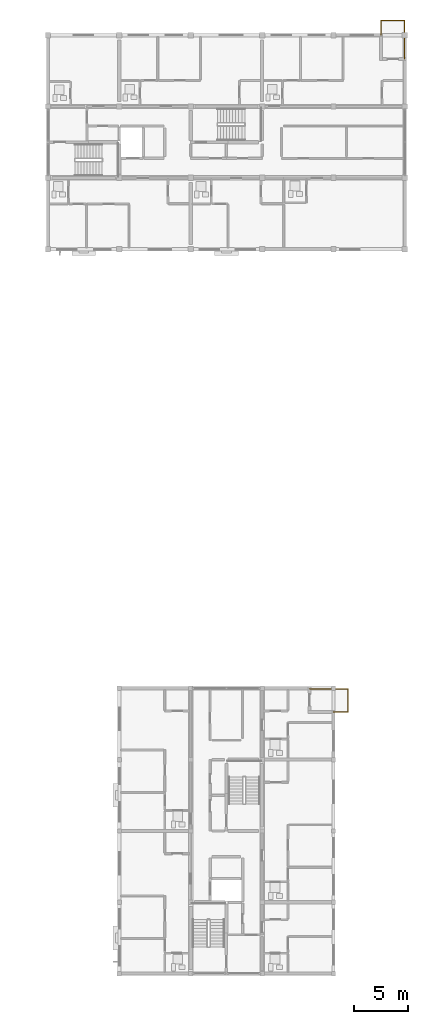
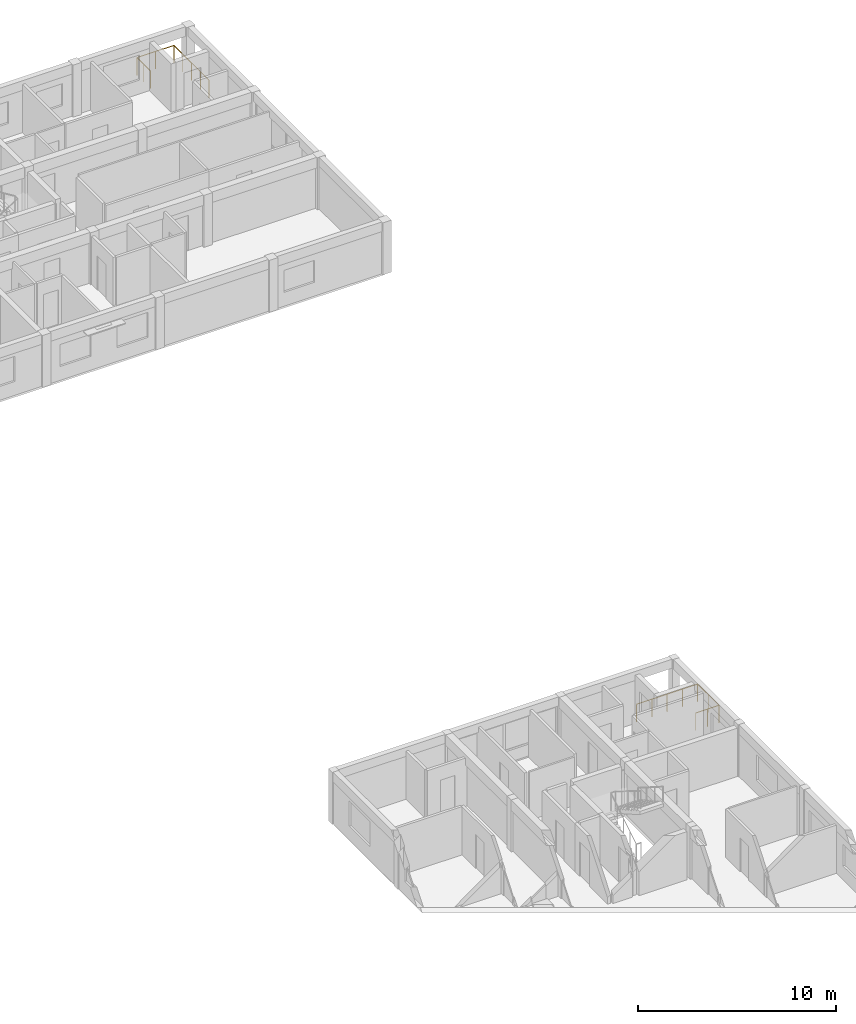
# One storey, part 48 of 49: 2 railings.
"""IFC4 building model written with IfcOpenShell, lengths in metres."""

from ifc_helpers import new_model, si_unit, direction, frame, origin, origin_2d, place, context, subcontext, project, spatial, circle, extrude, material, type_object, element, save


model = new_model("IFC4")

# Units and contexts
model_context = context("Model", 3, precision=1e-05, world=origin(), true_north=direction((0.0, 1.0)))
body_context = subcontext(model_context, "Body", "Model", "MODEL_VIEW")
ifc_project = project(units=[si_unit("LENGTHUNIT", "METRE"), si_unit("AREAUNIT", "SQUARE_METRE"), si_unit("VOLUMEUNIT", "CUBIC_METRE"), si_unit("PLANEANGLEUNIT", "RADIAN"), si_unit("MASSUNIT", "GRAM", prefix="KILO")], contexts=[model_context])

# Site, building, storey
site_placement = place(None, origin())
site = spatial("IfcSite", under=ifc_project, at=site_placement, CompositionType="ELEMENT")
building_placement = place(site_placement, origin())
building = spatial("IfcBuilding", under=site, at=building_placement, Name="Kernevlak Ridge Housing Community", CompositionType="ELEMENT")
storey_placement = place(building_placement, frame((0.0, 0.0, 30.800048828125)))
storey = spatial("IfcBuildingStorey", under=building, at=storey_placement, Name="L09", CompositionType="ELEMENT", Elevation=30.800048828125)

# Railings
ifc_material = material(Name="Steel S355", Category="steel")
railing_type = type_object("IfcRailingType", Name="BL-01", PredefinedType="BALUSTRADE", material=ifc_material)
railing_1_placement = place(storey_placement, frame((150.199951171875, 102.39990234375, 0.0)))
element("IfcRailing", 1, at=railing_1_placement, inside=storey, type_object=railing_type, Name="Block B L09 balcony balustrade BL-01 27", PredefinedType="BALUSTRADE", context=body_context, shape_type="SweptSolid", body=[
    extrude(circle(Radius=0.02392578125, at=origin_2d()), frame((0.0, 0.0, 1.076171875), z_axis=(0.0, 1.0, 0.0), x_axis=(-1.0, 0.0, 0.0)), (0.0, 0.0, 1.0), 1.35009765625),
    extrude(circle(Radius=0.02392578125, at=origin_2d()), frame((0.0, 1.35009765625, 1.076171875), z_axis=(1.0, 0.0, 0.0), x_axis=(0.0, 1.0, 0.0)), (0.0, 0.0, 1.0), 2.150146484375),
    extrude(circle(Radius=0.02392578125, at=origin_2d()), frame((2.150146484375, 1.35009765625, 1.076171875), z_axis=(0.0, -1.0, 0.0), x_axis=(1.0, 0.0, 0.0)), (0.0, 0.0, 1.0), 3.550048828125),
    extrude(circle(Radius=0.02099609375, at=origin_2d()), origin(), (0.0, 0.0, 1.0), 1.052001953125),
    extrude(circle(Radius=0.02099609375, at=origin_2d()), frame((0.0, 0.675048828125, 0.0)), (0.0, 0.0, 1.0), 1.052001953125),
    extrude(circle(Radius=0.02099609375, at=origin_2d()), frame((0.0, 1.35009765625, 0.0)), (0.0, 0.0, 1.0), 1.052001953125),
    extrude(circle(Radius=0.02099609375, at=origin_2d()), frame((1.0751953125, 1.35009765625, 0.0)), (0.0, 0.0, 1.0), 1.052001953125),
    extrude(circle(Radius=0.02099609375, at=origin_2d()), frame((2.150146484375, 1.35009765625, 0.0)), (0.0, 0.0, 1.0), 1.052001953125),
    extrude(circle(Radius=0.02099609375, at=origin_2d()), frame((2.150146484375, 0.462646484375, 0.0)), (0.0, 0.0, 1.0), 1.052001953125),
    extrude(circle(Radius=0.02099609375, at=origin_2d()), frame((2.150146484375, -0.4248046875, 0.0)), (0.0, 0.0, 1.0), 1.052001953125),
    extrude(circle(Radius=0.02099609375, at=origin_2d()), frame((2.150146484375, -1.3125, 0.0)), (0.0, 0.0, 1.0), 1.052001953125),
    extrude(circle(Radius=0.02099609375, at=origin_2d()), frame((2.150146484375, -2.199951171875, 0.0)), (0.0, 0.0, 1.0), 1.052001953125),
])
railing_2_placement = place(storey_placement, frame((145.800048828125, 39.800048828125, 0.0)))
element("IfcRailing", 2, at=railing_2_placement, inside=storey, type_object=railing_type, Name="Block C L09 balcony balustrade BL-01 42", PredefinedType="BALUSTRADE", context=body_context, shape_type="SweptSolid", body=[
    extrude(circle(Radius=0.02392578125, at=origin_2d()), frame((0.0, 0.0, 1.076171875), z_axis=(1.0, 0.0, 0.0), x_axis=(0.0, 1.0, 0.0)), (0.0, 0.0, 1.0), 1.349853515625),
    extrude(circle(Radius=0.02392578125, at=origin_2d()), frame((1.349853515625, 0.0, 1.076171875), z_axis=(0.0, 1.0, 0.0), x_axis=(-1.0, 0.0, 0.0)), (0.0, 0.0, 1.0), 2.14990234375),
    extrude(circle(Radius=0.02392578125, at=origin_2d()), frame((1.349853515625, 2.14990234375, 1.076171875), z_axis=(-1.0, 0.0, 0.0), x_axis=(0.0, -1.0, 0.0)), (0.0, 0.0, 1.0), 3.5498046875),
    extrude(circle(Radius=0.02099609375, at=origin_2d()), origin(), (0.0, 0.0, 1.0), 1.052001953125),
    extrude(circle(Radius=0.02099609375, at=origin_2d()), frame((0.6748046875, 0.0, 0.0)), (0.0, 0.0, 1.0), 1.052001953125),
    extrude(circle(Radius=0.02099609375, at=origin_2d()), frame((1.349853515625, 0.0, 0.0)), (0.0, 0.0, 1.0), 1.052001953125),
    extrude(circle(Radius=0.02099609375, at=origin_2d()), frame((1.349853515625, 1.074951171875, 0.0)), (0.0, 0.0, 1.0), 1.052001953125),
    extrude(circle(Radius=0.02099609375, at=origin_2d()), frame((1.349853515625, 2.14990234375, 0.0)), (0.0, 0.0, 1.0), 1.052001953125),
    extrude(circle(Radius=0.02099609375, at=origin_2d()), frame((0.46240234375, 2.14990234375, 0.0)), (0.0, 0.0, 1.0), 1.052001953125),
    extrude(circle(Radius=0.02099609375, at=origin_2d()), frame((-0.425048828125, 2.14990234375, 0.0)), (0.0, 0.0, 1.0), 1.052001953125),
    extrude(circle(Radius=0.02099609375, at=origin_2d()), frame((-1.3125, 2.14990234375, 0.0)), (0.0, 0.0, 1.0), 1.052001953125),
    extrude(circle(Radius=0.02099609375, at=origin_2d()), frame((-2.199951171875, 2.14990234375, 0.0)), (0.0, 0.0, 1.0), 1.052001953125),
])

save(model, "model.ifc")
